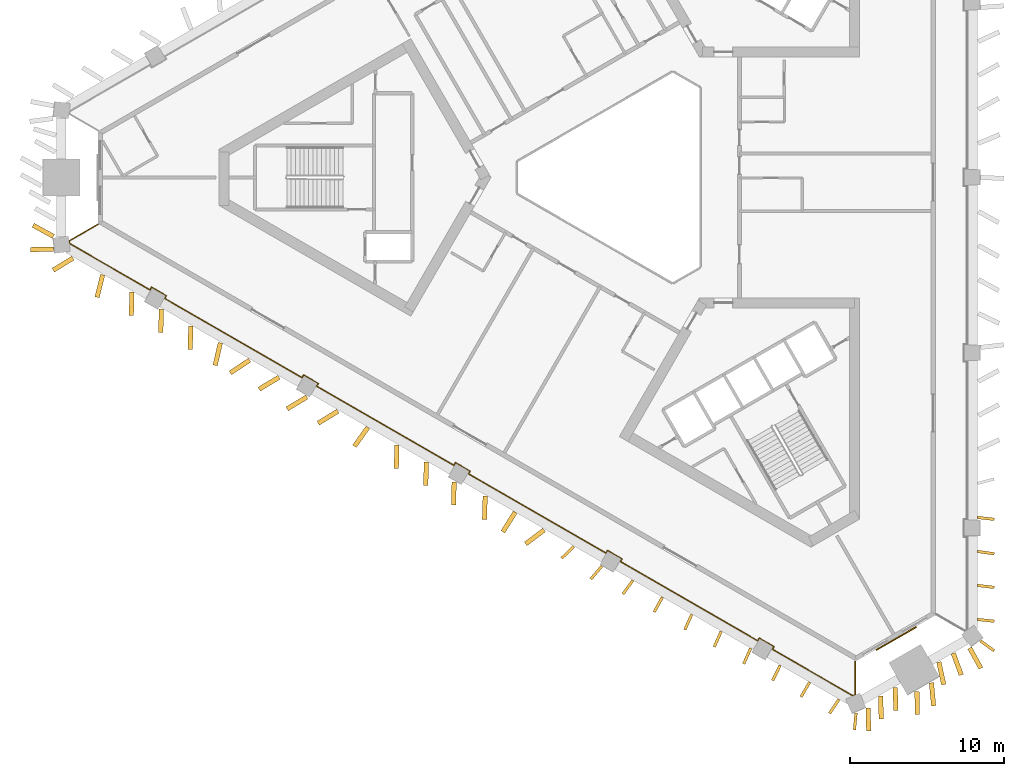
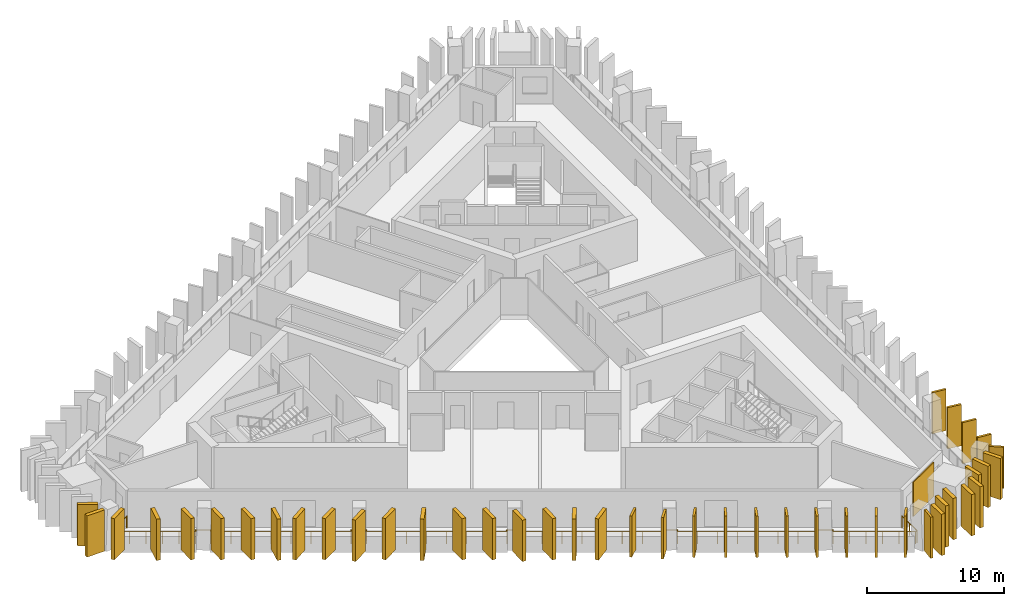
# One storey, part 7 of 10: 43 shading devices, 1 covering, 1 railing.
"""IFC4 building model written with IfcOpenShell, lengths in metres."""

from ifc_helpers import new_model, si_unit, direction, frame, frame_2d, origin, origin_2d, place, context, subcontext, project, spatial, rectangle, circle, extrude, material, layer, layer_set, type_object, element, save


model = new_model("IFC4")

# Units and contexts
model_context = context("Model", 3, precision=1e-05, world=origin(), true_north=direction((0.0, 1.0)))
body_context = subcontext(model_context, "Body", "Model", "MODEL_VIEW")
ifc_project = project(units=[si_unit("LENGTHUNIT", "METRE"), si_unit("AREAUNIT", "SQUARE_METRE"), si_unit("VOLUMEUNIT", "CUBIC_METRE"), si_unit("PLANEANGLEUNIT", "RADIAN"), si_unit("MASSUNIT", "GRAM", prefix="KILO")], contexts=[model_context])

# Site, building, storey
site_placement = place(None, origin())
site = spatial("IfcSite", under=ifc_project, at=site_placement, CompositionType="ELEMENT")
building_placement = place(site_placement, origin())
building = spatial("IfcBuilding", under=site, at=building_placement, Name="Jabali Bay Hotel Tower and Convention Centre", CompositionType="ELEMENT")
storey_placement = place(building_placement, frame((0.0, 0.0, 121.60009765625)))
storey = spatial("IfcBuildingStorey", under=building, at=storey_placement, Name="L29", CompositionType="ELEMENT", Elevation=121.60009765625)

# Railing
ifc_material_1 = material(Name="Glass", Category="glass")
railing_type = type_object("IfcRailingType", Name="Loggia glass guard 1100", PredefinedType="BALUSTRADE", material=ifc_material_1)
railing_placement = place(storey_placement, frame((89.593505859375, 48.65283203125, 0.0)))
element("IfcRailing", 1, at=railing_placement, inside=storey, type_object=railing_type, Name="Loggia glass guard L29", PredefinedType="BALUSTRADE", context=body_context, shape_type="SweptSolid", body=[
    extrude(circle(Radius=0.02490234375, at=origin_2d()), frame((0.0, 0.0, 1.0751953125), z_axis=(0.0, -1.0, 0.0), x_axis=(0.991444861374, 0.0, 0.13052619222)), (0.0, 0.0, 1.0), 2.165283203125),
    extrude(circle(Radius=0.02490234375, at=origin_2d()), frame((0.0, -2.165283203125, 1.0751953125), z_axis=(-0.918901945155, -0.394486013934, 0.0), x_axis=(0.391111131399, -0.911040611631, 0.13052619222)), (0.0, 0.0, 1.0), 0.156005859375),
    extrude(circle(Radius=0.02490234375, at=origin_2d()), frame((-0.143310546875, -2.226806640625, 1.0751953125), z_axis=(-0.866017553207, 0.500013597353, 0.0), x_axis=(-0.495735911712, -0.858608652987, 0.13052619222)), (0.0, 0.0, 1.0), 6.024658203125),
    extrude(circle(Radius=0.02490234375, at=origin_2d()), frame((-5.36083984375, 0.78564453125, 1.0751953125), z_axis=(0.499158860599, 0.866510491504, 0.0), x_axis=(-0.859097374128, 0.49488848735, 0.13052619222)), (0.0, 0.0, 1.0), 0.199951171875),
    extrude(circle(Radius=0.02490234375, at=origin_2d()), frame((-5.260986328125, 0.958984375, 1.0751953125), z_axis=(-0.866008176907, 0.50002983664, 0.0), x_axis=(-0.495752012071, -0.858599356902, 0.13052619222)), (0.0, 0.0, 1.0), 1.10009765625),
    extrude(circle(Radius=0.02490234375, at=origin_2d()), frame((-6.213623046875, 1.509033203125, 1.0751953125), z_axis=(-0.499158860599, -0.866510491504, 0.0), x_axis=(0.859097374128, -0.49488848735, 0.13052619222)), (0.0, 0.0, 1.0), 0.199951171875),
    extrude(circle(Radius=0.02490234375, at=origin_2d()), frame((-6.3134765625, 1.335693359375, 1.0751953125), z_axis=(-0.866025546963, 0.499999752008, 0.0), x_axis=(-0.495722184817, -0.858616578354, 0.13052619222)), (0.0, 0.0, 1.0), 10.26318359375),
    extrude(circle(Radius=0.02490234375, at=origin_2d()), frame((-15.20166015625, 6.46728515625, 1.0751953125), z_axis=(0.499158860599, 0.866510491504, 0.0), x_axis=(-0.859097374128, 0.49488848735, 0.13052619222)), (0.0, 0.0, 1.0), 0.199951171875),
    extrude(circle(Radius=0.02490234375, at=origin_2d()), frame((-15.101806640625, 6.640625, 1.0751953125), z_axis=(-0.866104278045, 0.499863360881, 0.0), x_axis=(-0.495586960535, -0.858694635882, 0.13052619222)), (0.0, 0.0, 1.0), 1.099853515625),
    extrude(circle(Radius=0.02490234375, at=origin_2d()), frame((-16.054443359375, 7.1904296875, 1.0751953125), z_axis=(-0.499687197852, -0.866205924883, 0.0), x_axis=(0.858795413117, -0.495412304605, 0.13052619222)), (0.0, 0.0, 1.0), 0.199951171875),
    extrude(circle(Radius=0.02490234375, at=origin_2d()), frame((-16.154296875, 7.017333984375, 1.0751953125), z_axis=(-0.866025546963, 0.499999752008, 0.0), x_axis=(-0.495722184817, -0.858616578354, 0.13052619222)), (0.0, 0.0, 1.0), 10.26318359375),
    extrude(circle(Radius=0.02490234375, at=origin_2d()), frame((-25.04248046875, 12.14892578125, 1.0751953125), z_axis=(0.499687197852, 0.866205924883, 0.0), x_axis=(-0.858795413117, 0.495412304605, 0.13052619222)), (0.0, 0.0, 1.0), 0.199951171875),
    extrude(circle(Radius=0.02490234375, at=origin_2d()), frame((-24.942626953125, 12.322021484375, 1.0751953125), z_axis=(-0.866008176907, 0.50002983664, 0.0), x_axis=(-0.495752012071, -0.858599356902, 0.13052619222)), (0.0, 0.0, 1.0), 1.10009765625),
    extrude(circle(Radius=0.02490234375, at=origin_2d()), frame((-25.895263671875, 12.8720703125, 1.0751953125), z_axis=(-0.499687197852, -0.866205924883, 0.0), x_axis=(0.858795413117, -0.495412304605, 0.13052619222)), (0.0, 0.0, 1.0), 0.199951171875),
    extrude(circle(Radius=0.02490234375, at=origin_2d()), frame((-25.9951171875, 12.698974609375, 1.0751953125), z_axis=(-0.866025546963, 0.499999752008, 0.0), x_axis=(-0.495722184817, -0.858616578354, 0.13052619222)), (0.0, 0.0, 1.0), 10.26318359375),
    extrude(circle(Radius=0.02490234375, at=origin_2d()), frame((-34.88330078125, 17.83056640625, 1.0751953125), z_axis=(0.499687197852, 0.866205924883, 0.0), x_axis=(-0.858795413117, 0.495412304605, 0.13052619222)), (0.0, 0.0, 1.0), 0.199951171875),
    extrude(circle(Radius=0.02490234375, at=origin_2d()), frame((-34.783447265625, 18.003662109375, 1.0751953125), z_axis=(-0.865952669392, 0.500125958508, 0.0), x_axis=(-0.495847311602, -0.858544324261, 0.13052619222)), (0.0, 0.0, 1.0), 1.099853515625),
    extrude(circle(Radius=0.02490234375, at=origin_2d()), frame((-35.73583984375, 18.5537109375, 1.0751953125), z_axis=(-0.500603037456, -0.865676959893, 0.0), x_axis=(0.858270973496, -0.496320309074, 0.13052619222)), (0.0, 0.0, 1.0), 0.199951171875),
    extrude(circle(Radius=0.02490234375, at=origin_2d()), frame((-35.8359375, 18.380615234375, 1.0751953125), z_axis=(-0.866025546963, 0.499999752008, 0.0), x_axis=(-0.495722184817, -0.858616578354, 0.13052619222)), (0.0, 0.0, 1.0), 10.26318359375),
    extrude(circle(Radius=0.02490234375, at=origin_2d()), frame((-44.72412109375, 23.51220703125, 1.0751953125), z_axis=(0.500603037456, 0.865676959893, 0.0), x_axis=(-0.858270973496, 0.496320309074, 0.13052619222)), (0.0, 0.0, 1.0), 0.199951171875),
    extrude(circle(Radius=0.02490234375, at=origin_2d()), frame((-44.6240234375, 23.685302734375, 1.0751953125), z_axis=(-0.866008176907, 0.50002983664, 0.0), x_axis=(-0.495752012071, -0.858599356902, 0.13052619222)), (0.0, 0.0, 1.0), 1.10009765625),
    extrude(circle(Radius=0.02490234375, at=origin_2d()), frame((-45.57666015625, 24.2353515625, 1.0751953125), z_axis=(-0.500074377092, -0.865982457891, 0.0), x_axis=(0.858573857916, -0.495796171473, 0.13052619222)), (0.0, 0.0, 1.0), 0.2001953125),
    extrude(circle(Radius=0.02490234375, at=origin_2d()), frame((-45.6767578125, 24.06201171875, 1.0751953125), z_axis=(-0.866027683981, 0.499996050563, 0.0), x_axis=(-0.495718515038, -0.85861869709, 0.13052619222)), (0.0, 0.0, 1.0), 6.02490234375),
    extrude(circle(Radius=0.02490234375, at=origin_2d()), frame((-50.89453125, 27.074462890625, 1.0751953125), z_axis=(-0.117477392411, 0.993075557182, 0.0), x_axis=(-0.984579658124, -0.116472357034, 0.13052619222)), (0.0, 0.0, 1.0), 0.15576171875),
    extrude(circle(Radius=0.02490234375, at=origin_2d()), frame((-50.912841796875, 27.229248046875, 1.0751953125), z_axis=(0.866056034881, 0.49994694163, 0.0), x_axis=(-0.495669826239, 0.858646805445, 0.13052619222)), (0.0, 0.0, 1.0), 2.165283203125),
    extrude(circle(Radius=0.02001953125, at=origin_2d()), origin(), (0.0, 0.0, 1.0), 1.050048828125),
    extrude(circle(Radius=0.02001953125, at=origin_2d()), frame((0.0, -1.08251953125, 0.0)), (0.0, 0.0, 1.0), 1.050048828125),
    extrude(circle(Radius=0.02001953125, at=origin_2d()), frame((0.0, -2.165283203125, 0.0)), (0.0, 0.0, 1.0), 1.050048828125),
    extrude(circle(Radius=0.02001953125, at=origin_2d()), frame((-0.143310546875, -2.226806640625, 0.0)), (0.0, 0.0, 1.0), 1.050048828125),
    extrude(circle(Radius=0.02001953125, at=origin_2d()), frame((-1.186767578125, -1.624267578125, 0.0)), (0.0, 0.0, 1.0), 1.050048828125),
    extrude(circle(Radius=0.02001953125, at=origin_2d()), frame((-2.230224609375, -1.021728515625, 0.0)), (0.0, 0.0, 1.0), 1.050048828125),
    extrude(circle(Radius=0.02001953125, at=origin_2d()), frame((-3.27392578125, -0.41943359375, 0.0)), (0.0, 0.0, 1.0), 1.050048828125),
    extrude(circle(Radius=0.02001953125, at=origin_2d()), frame((-4.3173828125, 0.18310546875, 0.0)), (0.0, 0.0, 1.0), 1.050048828125),
    extrude(circle(Radius=0.02001953125, at=origin_2d()), frame((-5.36083984375, 0.78564453125, 0.0)), (0.0, 0.0, 1.0), 1.050048828125),
    extrude(circle(Radius=0.02001953125, at=origin_2d()), frame((-5.260986328125, 0.958984375, 0.0)), (0.0, 0.0, 1.0), 1.050048828125),
    extrude(circle(Radius=0.02001953125, at=origin_2d()), frame((-6.213623046875, 1.509033203125, 0.0)), (0.0, 0.0, 1.0), 1.050048828125),
    extrude(circle(Radius=0.02001953125, at=origin_2d()), frame((-6.3134765625, 1.335693359375, 0.0)), (0.0, 0.0, 1.0), 1.050048828125),
    extrude(circle(Radius=0.02001953125, at=origin_2d()), frame((-7.583251953125, 2.06884765625, 0.0)), (0.0, 0.0, 1.0), 1.050048828125),
    extrude(circle(Radius=0.02001953125, at=origin_2d()), frame((-8.85302734375, 2.8017578125, 0.0)), (0.0, 0.0, 1.0), 1.050048828125),
    extrude(circle(Radius=0.02001953125, at=origin_2d()), frame((-10.122802734375, 3.534912109375, 0.0)), (0.0, 0.0, 1.0), 1.050048828125),
    extrude(circle(Radius=0.02001953125, at=origin_2d()), frame((-11.392333984375, 4.26806640625, 0.0)), (0.0, 0.0, 1.0), 1.050048828125),
    extrude(circle(Radius=0.02001953125, at=origin_2d()), frame((-12.662109375, 5.001220703125, 0.0)), (0.0, 0.0, 1.0), 1.050048828125),
    extrude(circle(Radius=0.02001953125, at=origin_2d()), frame((-13.931884765625, 5.734130859375, 0.0)), (0.0, 0.0, 1.0), 1.050048828125),
    extrude(circle(Radius=0.02001953125, at=origin_2d()), frame((-15.20166015625, 6.46728515625, 0.0)), (0.0, 0.0, 1.0), 1.050048828125),
    extrude(circle(Radius=0.02001953125, at=origin_2d()), frame((-15.101806640625, 6.640625, 0.0)), (0.0, 0.0, 1.0), 1.050048828125),
    extrude(circle(Radius=0.02001953125, at=origin_2d()), frame((-16.054443359375, 7.1904296875, 0.0)), (0.0, 0.0, 1.0), 1.050048828125),
    extrude(circle(Radius=0.02001953125, at=origin_2d()), frame((-16.154296875, 7.017333984375, 0.0)), (0.0, 0.0, 1.0), 1.050048828125),
    extrude(circle(Radius=0.02001953125, at=origin_2d()), frame((-17.424072265625, 7.75048828125, 0.0)), (0.0, 0.0, 1.0), 1.050048828125),
    extrude(circle(Radius=0.02001953125, at=origin_2d()), frame((-18.69384765625, 8.4833984375, 0.0)), (0.0, 0.0, 1.0), 1.050048828125),
    extrude(circle(Radius=0.02001953125, at=origin_2d()), frame((-19.963623046875, 9.216552734375, 0.0)), (0.0, 0.0, 1.0), 1.050048828125),
    extrude(circle(Radius=0.02001953125, at=origin_2d()), frame((-21.233154296875, 9.94970703125, 0.0)), (0.0, 0.0, 1.0), 1.050048828125),
    extrude(circle(Radius=0.02001953125, at=origin_2d()), frame((-22.5029296875, 10.682861328125, 0.0)), (0.0, 0.0, 1.0), 1.050048828125),
    extrude(circle(Radius=0.02001953125, at=origin_2d()), frame((-23.772705078125, 11.415771484375, 0.0)), (0.0, 0.0, 1.0), 1.050048828125),
    extrude(circle(Radius=0.02001953125, at=origin_2d()), frame((-25.04248046875, 12.14892578125, 0.0)), (0.0, 0.0, 1.0), 1.050048828125),
    extrude(circle(Radius=0.02001953125, at=origin_2d()), frame((-24.942626953125, 12.322021484375, 0.0)), (0.0, 0.0, 1.0), 1.050048828125),
    extrude(circle(Radius=0.02001953125, at=origin_2d()), frame((-25.895263671875, 12.8720703125, 0.0)), (0.0, 0.0, 1.0), 1.050048828125),
    extrude(circle(Radius=0.02001953125, at=origin_2d()), frame((-25.9951171875, 12.698974609375, 0.0)), (0.0, 0.0, 1.0), 1.050048828125),
    extrude(circle(Radius=0.02001953125, at=origin_2d()), frame((-27.264892578125, 13.43212890625, 0.0)), (0.0, 0.0, 1.0), 1.050048828125),
    extrude(circle(Radius=0.02001953125, at=origin_2d()), frame((-28.53466796875, 14.1650390625, 0.0)), (0.0, 0.0, 1.0), 1.050048828125),
    extrude(circle(Radius=0.02001953125, at=origin_2d()), frame((-29.804443359375, 14.898193359375, 0.0)), (0.0, 0.0, 1.0), 1.050048828125),
    extrude(circle(Radius=0.02001953125, at=origin_2d()), frame((-31.073974609375, 15.63134765625, 0.0)), (0.0, 0.0, 1.0), 1.050048828125),
    extrude(circle(Radius=0.02001953125, at=origin_2d()), frame((-32.34375, 16.364501953125, 0.0)), (0.0, 0.0, 1.0), 1.050048828125),
    extrude(circle(Radius=0.02001953125, at=origin_2d()), frame((-33.613525390625, 17.097412109375, 0.0)), (0.0, 0.0, 1.0), 1.050048828125),
    extrude(circle(Radius=0.02001953125, at=origin_2d()), frame((-34.88330078125, 17.83056640625, 0.0)), (0.0, 0.0, 1.0), 1.050048828125),
    extrude(circle(Radius=0.02001953125, at=origin_2d()), frame((-34.783447265625, 18.003662109375, 0.0)), (0.0, 0.0, 1.0), 1.050048828125),
    extrude(circle(Radius=0.02001953125, at=origin_2d()), frame((-35.73583984375, 18.5537109375, 0.0)), (0.0, 0.0, 1.0), 1.050048828125),
    extrude(circle(Radius=0.02001953125, at=origin_2d()), frame((-35.8359375, 18.380615234375, 0.0)), (0.0, 0.0, 1.0), 1.050048828125),
    extrude(circle(Radius=0.02001953125, at=origin_2d()), frame((-37.105712890625, 19.11376953125, 0.0)), (0.0, 0.0, 1.0), 1.050048828125),
    extrude(circle(Radius=0.02001953125, at=origin_2d()), frame((-38.37548828125, 19.8466796875, 0.0)), (0.0, 0.0, 1.0), 1.050048828125),
    extrude(circle(Radius=0.02001953125, at=origin_2d()), frame((-39.645263671875, 20.579833984375, 0.0)), (0.0, 0.0, 1.0), 1.050048828125),
    extrude(circle(Radius=0.02001953125, at=origin_2d()), frame((-40.914794921875, 21.31298828125, 0.0)), (0.0, 0.0, 1.0), 1.050048828125),
    extrude(circle(Radius=0.02001953125, at=origin_2d()), frame((-42.1845703125, 22.046142578125, 0.0)), (0.0, 0.0, 1.0), 1.050048828125),
    extrude(circle(Radius=0.02001953125, at=origin_2d()), frame((-43.454345703125, 22.779052734375, 0.0)), (0.0, 0.0, 1.0), 1.050048828125),
    extrude(circle(Radius=0.02001953125, at=origin_2d()), frame((-44.72412109375, 23.51220703125, 0.0)), (0.0, 0.0, 1.0), 1.050048828125),
    extrude(circle(Radius=0.02001953125, at=origin_2d()), frame((-44.6240234375, 23.685302734375, 0.0)), (0.0, 0.0, 1.0), 1.050048828125),
    extrude(circle(Radius=0.02001953125, at=origin_2d()), frame((-45.57666015625, 24.2353515625, 0.0)), (0.0, 0.0, 1.0), 1.050048828125),
    extrude(circle(Radius=0.02001953125, at=origin_2d()), frame((-45.6767578125, 24.06201171875, 0.0)), (0.0, 0.0, 1.0), 1.050048828125),
    extrude(circle(Radius=0.02001953125, at=origin_2d()), frame((-46.72021484375, 24.66455078125, 0.0)), (0.0, 0.0, 1.0), 1.050048828125),
    extrude(circle(Radius=0.02001953125, at=origin_2d()), frame((-47.763916015625, 25.26708984375, 0.0)), (0.0, 0.0, 1.0), 1.050048828125),
    extrude(circle(Radius=0.02001953125, at=origin_2d()), frame((-48.807373046875, 25.869384765625, 0.0)), (0.0, 0.0, 1.0), 1.050048828125),
    extrude(circle(Radius=0.02001953125, at=origin_2d()), frame((-49.85107421875, 26.471923828125, 0.0)), (0.0, 0.0, 1.0), 1.050048828125),
    extrude(circle(Radius=0.02001953125, at=origin_2d()), frame((-50.89453125, 27.074462890625, 0.0)), (0.0, 0.0, 1.0), 1.050048828125),
    extrude(circle(Radius=0.02001953125, at=origin_2d()), frame((-50.912841796875, 27.229248046875, 0.0)), (0.0, 0.0, 1.0), 1.050048828125),
    extrude(circle(Radius=0.02001953125, at=origin_2d()), frame((-49.97509765625, 27.7705078125, 0.0)), (0.0, 0.0, 1.0), 1.050048828125),
    extrude(circle(Radius=0.02001953125, at=origin_2d()), frame((-49.03759765625, 28.311767578125, 0.0)), (0.0, 0.0, 1.0), 1.050048828125),
])

# Shading devices
ifc_material_2 = material(Name="Precast concrete C60", Category="concrete")
ifc_layer_1 = layer(ifc_material_2, 0.179931640625)
ifc_layer_set_1 = layer_set([ifc_layer_1], Name="Precast concrete C60")
shading_device_type_1 = type_object("IfcShadingDeviceType", Name="Precast fin 3680 x 1100", PredefinedType="USERDEFINED", material=ifc_layer_set_1)
for number, where, z_axis, x_axis, name in (
    (2, (97.502685546875, 51.374755859375, 0.010009765625), (0.0, 0.0, 1.0), (0.99430915392, -0.106533123634, 0.0), "Fin L29 000"),
    (3, (97.50341796875, 53.57666015625, 0.010009765625), (0.0, 0.0, 1.0), (0.993293755317, -0.11561797286, 0.0), "Fin L29 001"),
):
    element("IfcShadingDevice", number, at=place(storey_placement, frame(where, z_axis=z_axis, x_axis=x_axis)), inside=storey, type_object=shading_device_type_1, Name=name, ObjectType="FIN", PredefinedType="USERDEFINED", context=body_context, shape_type="SweptSolid", body=[
        extrude(rectangle(XDim=1.10009765625, YDim=0.179931640625, at=frame_2d((0.550048828125, 0.0))), origin(), (0.0, 0.0, 1.0), 3.679931640625),
    ])
shading_device_1_placement = place(storey_placement, frame((97.505859375, 55.778564453125, 0.010009765625), z_axis=(0.0, 0.0, 1.0), x_axis=(0.990015976913, -0.140955189538, 0.0)))
element("IfcShadingDevice", 4, at=shading_device_1_placement, inside=storey, type_object=shading_device_type_1, Name="Fin L29 002", ObjectType="FIN", PredefinedType="USERDEFINED", context=body_context, shape_type="SweptSolid", body=[
    extrude(rectangle(XDim=1.099853515625, YDim=0.179931640625, at=frame_2d((0.5498046875, 0.0))), origin(), (0.0, 0.0, 1.0), 3.679931640625),
])
for number, where, z_axis, x_axis, name in (
    (5, (97.503173828125, 57.98046875, 0.010009765625), (0.0, 0.0, 1.0), (0.99364875495, -0.112526227107, 0.0), "Fin L29 003"),
    (6, (71.36865234375, 56.0947265625, 0.010009765625), (0.0, 0.0, 1.0), (-0.721928151592, -0.691968022338, 0.0), "Fin L29 087"),
):
    element("IfcShadingDevice", number, at=place(storey_placement, frame(where, z_axis=z_axis, x_axis=x_axis)), inside=storey, type_object=shading_device_type_1, Name=name, ObjectType="FIN", PredefinedType="USERDEFINED", context=body_context, shape_type="SweptSolid", body=[
        extrude(rectangle(XDim=1.10009765625, YDim=0.179931640625, at=frame_2d((0.550048828125, 0.0))), origin(), (0.0, 0.0, 1.0), 3.679931640625),
    ])
for number, where, z_axis, x_axis, name in (
    (7, (73.17626953125, 54.82177734375, 0.010009765625), (0.0, 0.0, 1.0), (-0.646797537795, -0.762661750124, 0.0), "Fin L29 088"),
    (8, (75.1904296875, 53.906494140625, 0.010009765625), (0.0, 0.0, 1.0), (-0.585952370362, -0.810345494013, 0.0), "Fin L29 089"),
):
    element("IfcShadingDevice", number, at=place(storey_placement, frame(where, z_axis=z_axis, x_axis=x_axis)), inside=storey, type_object=shading_device_type_1, Name=name, ObjectType="FIN", PredefinedType="USERDEFINED", context=body_context, shape_type="SweptSolid", body=[
        extrude(rectangle(XDim=1.099853515625, YDim=0.179931640625, at=frame_2d((0.5498046875, 0.0))), origin(), (0.0, 0.0, 1.0), 3.679931640625),
    ])
shading_device_2_placement = place(storey_placement, frame((77.101318359375, 52.812255859375, 0.010009765625), z_axis=(0.0, 0.0, 1.0), x_axis=(-0.485152919882, -0.874429324948, 0.0)))
element("IfcShadingDevice", 9, at=shading_device_2_placement, inside=storey, type_object=shading_device_type_1, Name="Fin L29 090", ObjectType="FIN", PredefinedType="USERDEFINED", context=body_context, shape_type="SweptSolid", body=[
    extrude(rectangle(XDim=1.10009765625, YDim=0.179931640625, at=frame_2d((0.550048828125, 0.0))), origin(), (0.0, 0.0, 1.0), 3.679931640625),
])
for number, where, z_axis, x_axis, name in (
    (10, (79.00439453125, 51.704833984375, 0.010009765625), (0.0, 0.0, 1.0), (-0.41062307398, -0.911805182654, 0.0), "Fin L29 091"),
    (11, (80.911376953125, 50.603515625, 0.010009765625), (0.0, 0.0, 1.0), (-0.408443937443, -0.912783408025, 0.0), "Fin L29 092"),
):
    element("IfcShadingDevice", number, at=place(storey_placement, frame(where, z_axis=z_axis, x_axis=x_axis)), inside=storey, type_object=shading_device_type_1, Name=name, ObjectType="FIN", PredefinedType="USERDEFINED", context=body_context, shape_type="SweptSolid", body=[
        extrude(rectangle(XDim=1.099853515625, YDim=0.179931640625, at=frame_2d((0.5498046875, 0.0))), origin(), (0.0, 0.0, 1.0), 3.679931640625),
    ])
shading_device_3_placement = place(storey_placement, frame((82.818359375, 49.502685546875, 0.010009765625), z_axis=(0.0, 0.0, 1.0), x_axis=(-0.409266191411, -0.912415028684, 0.0)))
element("IfcShadingDevice", 12, at=shading_device_3_placement, inside=storey, type_object=shading_device_type_1, Name="Fin L29 093", ObjectType="FIN", PredefinedType="USERDEFINED", context=body_context, shape_type="SweptSolid", body=[
    extrude(rectangle(XDim=1.10009765625, YDim=0.179931640625, at=frame_2d((0.550048828125, 0.0))), origin(), (0.0, 0.0, 1.0), 3.679931640625),
])
for number, where, z_axis, x_axis, name in (
    (13, (84.726806640625, 48.404296875, 0.010009765625), (0.0, 0.0, 1.0), (-0.440185291087, -0.897906960387, 0.0), "Fin L29 094"),
    (14, (86.636474609375, 47.308349609375, 0.010009765625), (0.0, 0.0, 1.0), (-0.504505706254, -0.863408357822, 0.0), "Fin L29 095"),
):
    element("IfcShadingDevice", number, at=place(storey_placement, frame(where, z_axis=z_axis, x_axis=x_axis)), inside=storey, type_object=shading_device_type_1, Name=name, ObjectType="FIN", PredefinedType="USERDEFINED", context=body_context, shape_type="SweptSolid", body=[
        extrude(rectangle(XDim=1.099853515625, YDim=0.179931640625, at=frame_2d((0.5498046875, 0.0))), origin(), (0.0, 0.0, 1.0), 3.679931640625),
    ])
shading_device_4_placement = place(storey_placement, frame((88.54052734375, 46.2021484375, 0.010009765625), z_axis=(0.0, 0.0, 1.0), x_axis=(-0.559964482852, -0.828516612956, 0.0)))
element("IfcShadingDevice", 15, at=shading_device_4_placement, inside=storey, type_object=shading_device_type_1, Name="Fin L29 096", ObjectType="FIN", PredefinedType="USERDEFINED", context=body_context, shape_type="SweptSolid", body=[
    extrude(rectangle(XDim=1.10009765625, YDim=0.179931640625, at=frame_2d((0.550048828125, 0.0))), origin(), (0.0, 0.0, 1.0), 3.679931640625),
])
shading_device_5_placement = place(storey_placement, frame((97.69677734375, 49.9873046875, 0.010009765625), z_axis=(0.0, 0.0, 1.0), x_axis=(0.809043118272, -0.587749294152, 0.0)))
element("IfcShadingDevice", 16, at=shading_device_5_placement, inside=storey, type_object=shading_device_type_1, Name="Fin L29 105", ObjectType="FIN", PredefinedType="USERDEFINED", context=body_context, shape_type="SweptSolid", body=[
    extrude(rectangle(XDim=1.099853515625, YDim=0.179931640625, at=frame_2d((0.5498046875, 0.0))), origin(), (0.0, 0.0, 1.0), 3.679931640625),
])
shading_device_6_placement = place(storey_placement, frame((89.643310546875, 45.31982421875, 0.010009765625), z_axis=(0.0, 0.0, 1.0), x_axis=(-0.093656957296, -0.995604527084, 0.0)))
element("IfcShadingDevice", 17, at=shading_device_6_placement, inside=storey, type_object=shading_device_type_1, Name="Fin L29 110", ObjectType="FIN", PredefinedType="USERDEFINED", context=body_context, shape_type="SweptSolid", body=[
    extrude(rectangle(XDim=1.10009765625, YDim=0.179931640625, at=frame_2d((0.550048828125, 0.0))), origin(), (0.0, 0.0, 1.0), 3.679931640625),
])
ifc_layer_2 = layer(ifc_material_2, 0.300048828125)
ifc_layer_set_2 = layer_set([ifc_layer_2], Name="Precast concrete C60")
shading_device_type_2 = type_object("IfcShadingDeviceType", Name="Precast fin 3680 x 1500", PredefinedType="USERDEFINED", material=ifc_layer_set_2)
for number, where, z_axis, x_axis, name in (
    (18, (37.66015625, 76.18212890625, 0.010009765625), (0.0, 0.0, 1.0), (-0.876016513422, 0.482281109117, 0.0), "Fin L29 069"),
    (19, (38.927001953125, 74.7705078125, 0.010009765625), (0.0, 0.0, 1.0), (-0.855634763077, -0.51758009256, 0.0), "Fin L29 070"),
    (20, (40.84912109375, 73.69580078125, 0.010009765625), (0.0, 0.0, 1.0), (-0.238435868725, -0.971158244832, 0.0), "Fin L29 071"),
):
    element("IfcShadingDevice", number, at=place(storey_placement, frame(where, z_axis=z_axis, x_axis=x_axis)), inside=storey, type_object=shading_device_type_2, Name=name, ObjectType="FIN", PredefinedType="USERDEFINED", context=body_context, shape_type="SweptSolid", body=[
        extrude(rectangle(XDim=1.5, YDim=0.300048828125, at=frame_2d((0.75, 0.0))), origin(), (0.0, 0.0, 1.0), 3.679931640625),
    ])
shading_device_7_placement = place(storey_placement, frame((42.740966796875, 72.568359375, 0.010009765625), z_axis=(0.0, 0.0, 1.0), x_axis=(-0.020347463549, -0.999792968933, 0.0)))
element("IfcShadingDevice", 21, at=shading_device_7_placement, inside=storey, type_object=shading_device_type_2, Name="Fin L29 072", ObjectType="FIN", PredefinedType="USERDEFINED", context=body_context, shape_type="SweptSolid", body=[
    extrude(rectangle(XDim=1.499755859375, YDim=0.300048828125, at=frame_2d((0.75, 0.0))), origin(), (0.0, 0.0, 1.0), 3.679931640625),
])
shading_device_8_placement = place(storey_placement, frame((44.64794921875, 71.467529296875, 0.010009765625), z_axis=(0.0, 0.0, 1.0), x_axis=(-0.020344152619, -0.99979303631, 0.0)))
element("IfcShadingDevice", 22, at=shading_device_8_placement, inside=storey, type_object=shading_device_type_2, Name="Fin L29 073", ObjectType="FIN", PredefinedType="USERDEFINED", context=body_context, shape_type="SweptSolid", body=[
    extrude(rectangle(XDim=1.5, YDim=0.300048828125, at=frame_2d((0.75, 0.0))), origin(), (0.0, 0.0, 1.0), 3.679931640625),
])
shading_device_9_placement = place(storey_placement, frame((46.5546875, 70.366455078125, 0.010009765625), z_axis=(0.0, 0.0, 1.0), x_axis=(-0.020184750428, -0.999796267172, 0.0)))
element("IfcShadingDevice", 23, at=shading_device_9_placement, inside=storey, type_object=shading_device_type_2, Name="Fin L29 074", ObjectType="FIN", PredefinedType="USERDEFINED", context=body_context, shape_type="SweptSolid", body=[
    extrude(rectangle(XDim=1.499755859375, YDim=0.300048828125, at=frame_2d((0.75, 0.0))), origin(), (0.0, 0.0, 1.0), 3.679931640625),
])
for number, where, z_axis, x_axis, name in (
    (24, (48.47607421875, 69.29052734375, 0.010009765625), (0.0, 0.0, 1.0), (-0.226725353512, -0.97395873325, 0.0), "Fin L29 075"),
    (25, (50.371337890625, 68.169189453125, 0.010009765625), (0.0, 0.0, 1.0), (-0.834769495926, -0.550599571986, 0.0), "Fin L29 076"),
    (26, (52.275634765625, 67.063720703125, 0.010009765625), (0.0, 0.0, 1.0), (-0.855634763077, -0.51758009256, 0.0), "Fin L29 077"),
    (27, (54.078857421875, 65.782958984375, 0.010009765625), (0.0, 0.0, 1.0), (-0.855634763077, -0.51758009256, 0.0), "Fin L29 078"),
    (28, (56.089599609375, 64.861572265625, 0.010009765625), (0.0, 0.0, 1.0), (-0.85575041753, -0.517388850766, 0.0), "Fin L29 079"),
    (29, (58.025634765625, 63.811279296875, 0.010009765625), (0.0, 0.0, 1.0), (-0.577845710221, -0.816146025647, 0.0), "Fin L29 080"),
):
    element("IfcShadingDevice", number, at=place(storey_placement, frame(where, z_axis=z_axis, x_axis=x_axis)), inside=storey, type_object=shading_device_type_2, Name=name, ObjectType="FIN", PredefinedType="USERDEFINED", context=body_context, shape_type="SweptSolid", body=[
        extrude(rectangle(XDim=1.5, YDim=0.300048828125, at=frame_2d((0.75, 0.0))), origin(), (0.0, 0.0, 1.0), 3.679931640625),
    ])
shading_device_10_placement = place(storey_placement, frame((59.9033203125, 62.65966796875, 0.010009765625), z_axis=(0.0, 0.0, 1.0), x_axis=(-0.020510175053, -0.999789644235, 0.0)))
element("IfcShadingDevice", 30, at=shading_device_10_placement, inside=storey, type_object=shading_device_type_2, Name="Fin L29 081", ObjectType="FIN", PredefinedType="USERDEFINED", context=body_context, shape_type="SweptSolid", body=[
    extrude(rectangle(XDim=1.499755859375, YDim=0.300048828125, at=frame_2d((0.75, 0.0))), origin(), (0.0, 0.0, 1.0), 3.679931640625),
])
for number, where, z_axis, x_axis, name in (
    (31, (61.810302734375, 61.558837890625, 0.010009765625), (0.0, 0.0, 1.0), (-0.020832202869, -0.999782986114, 0.0), "Fin L29 082"),
    (32, (63.61376953125, 60.2783203125, 0.010009765625), (0.0, 0.0, 1.0), (-0.022787959118, -0.999740320743, 0.0), "Fin L29 083"),
):
    element("IfcShadingDevice", number, at=place(storey_placement, frame(where, z_axis=z_axis, x_axis=x_axis)), inside=storey, type_object=shading_device_type_2, Name=name, ObjectType="FIN", PredefinedType="USERDEFINED", context=body_context, shape_type="SweptSolid", body=[
        extrude(rectangle(XDim=1.5, YDim=0.300048828125, at=frame_2d((0.75, 0.0))), origin(), (0.0, 0.0, 1.0), 3.679931640625),
    ])
shading_device_11_placement = place(storey_placement, frame((65.624755859375, 59.35791015625, 0.010009765625), z_axis=(0.0, 0.0, 1.0), x_axis=(-0.029293837809, -0.999570843446, 0.0)))
element("IfcShadingDevice", 33, at=shading_device_11_placement, inside=storey, type_object=shading_device_type_2, Name="Fin L29 084", ObjectType="FIN", PredefinedType="USERDEFINED", context=body_context, shape_type="SweptSolid", body=[
    extrude(rectangle(XDim=1.500244140625, YDim=0.300048828125, at=frame_2d((0.75, 0.0))), origin(), (0.0, 0.0, 1.0), 3.679931640625),
])
shading_device_12_placement = place(storey_placement, frame((67.564697265625, 58.313720703125, 0.010009765625), z_axis=(0.0, 0.0, 1.0), x_axis=(-0.53089102945, -0.847440095139, 0.0)))
element("IfcShadingDevice", 34, at=shading_device_12_placement, inside=storey, type_object=shading_device_type_2, Name="Fin L29 085", ObjectType="FIN", PredefinedType="USERDEFINED", context=body_context, shape_type="SweptSolid", body=[
    extrude(rectangle(XDim=1.5, YDim=0.300048828125, at=frame_2d((0.75, 0.0))), origin(), (0.0, 0.0, 1.0), 3.679931640625),
])
shading_device_13_placement = place(storey_placement, frame((69.44482421875, 57.16650390625, 0.010009765625), z_axis=(0.0, 0.0, 1.0), x_axis=(-0.799394065021, -0.600807064547, 0.0)))
element("IfcShadingDevice", 35, at=shading_device_13_placement, inside=storey, type_object=shading_device_type_2, Name="Fin L29 086", ObjectType="FIN", PredefinedType="USERDEFINED", context=body_context, shape_type="SweptSolid", body=[
    extrude(rectangle(XDim=1.499755859375, YDim=0.300048828125, at=frame_2d((0.75, 0.0))), origin(), (0.0, 0.0, 1.0), 3.679931640625),
])
shading_device_14_placement = place(storey_placement, frame((90.427978515625, 45.642333984375, 0.010009765625), z_axis=(0.0, 0.0, 1.0), x_axis=(0.020344152619, -0.99979303631, 0.0)))
element("IfcShadingDevice", 36, at=shading_device_14_placement, inside=storey, type_object=shading_device_type_2, Name="Fin L29 097", ObjectType="FIN", PredefinedType="USERDEFINED", context=body_context, shape_type="SweptSolid", body=[
    extrude(rectangle(XDim=1.5, YDim=0.300048828125, at=frame_2d((0.75, 0.0))), origin(), (0.0, 0.0, 1.0), 3.679931640625),
])
for number, where, z_axis, x_axis, name in (
    (37, (91.239990234375, 46.41748046875, 0.010009765625), (0.0, 0.0, 1.0), (0.020347463549, -0.999792968933, 0.0), "Fin L29 098"),
    (38, (92.1845703125, 46.962890625, 0.010009765625), (0.0, 0.0, 1.0), (0.020347463549, -0.999792968933, 0.0), "Fin L29 099"),
):
    element("IfcShadingDevice", number, at=place(storey_placement, frame(where, z_axis=z_axis, x_axis=x_axis)), inside=storey, type_object=shading_device_type_2, Name=name, ObjectType="FIN", PredefinedType="USERDEFINED", context=body_context, shape_type="SweptSolid", body=[
        extrude(rectangle(XDim=1.499755859375, YDim=0.300048828125, at=frame_2d((0.75, 0.0))), origin(), (0.0, 0.0, 1.0), 3.679931640625),
    ])
for number, where, z_axis, x_axis, name in (
    (39, (93.58544921875, 46.71826171875, 0.010009765625), (0.0, 0.0, 1.0), (0.020344152619, -0.99979303631, 0.0), "Fin L29 100"),
    (40, (94.525146484375, 47.272216796875, 0.010009765625), (0.0, 0.0, 1.0), (0.094394349058, -0.995534884806, 0.0), "Fin L29 101"),
    (41, (95.007080078125, 48.619140625, 0.010009765625), (0.0, 0.0, 1.0), (0.209806975561, -0.977742825597, 0.0), "Fin L29 102"),
):
    element("IfcShadingDevice", number, at=place(storey_placement, frame(where, z_axis=z_axis, x_axis=x_axis)), inside=storey, type_object=shading_device_type_2, Name=name, ObjectType="FIN", PredefinedType="USERDEFINED", context=body_context, shape_type="SweptSolid", body=[
        extrude(rectangle(XDim=1.5, YDim=0.300048828125, at=frame_2d((0.75, 0.0))), origin(), (0.0, 0.0, 1.0), 3.679931640625),
    ])
shading_device_15_placement = place(storey_placement, frame((95.93994140625, 49.18505859375, 0.010009765625), z_axis=(0.0, 0.0, 1.0), x_axis=(0.344694549694, -0.938714902093, 0.0)))
element("IfcShadingDevice", 42, at=shading_device_15_placement, inside=storey, type_object=shading_device_type_2, Name="Fin L29 103", ObjectType="FIN", PredefinedType="USERDEFINED", context=body_context, shape_type="SweptSolid", body=[
    extrude(rectangle(XDim=1.500244140625, YDim=0.300048828125, at=frame_2d((0.75, 0.0))), origin(), (0.0, 0.0, 1.0), 3.679931640625),
])
for number, where, z_axis, x_axis, name in (
    (43, (97.0048828125, 49.52197265625, 0.010009765625), (0.0, 0.0, 1.0), (0.484066688459, -0.875031108661, 0.0), "Fin L29 104"),
    (44, (37.671142578125, 75.35693359375, 0.010009765625), (0.0, 0.0, 1.0), (-0.99979303631, -0.020344152619, 0.0), "Fin L29 109"),
):
    element("IfcShadingDevice", number, at=place(storey_placement, frame(where, z_axis=z_axis, x_axis=x_axis)), inside=storey, type_object=shading_device_type_2, Name=name, ObjectType="FIN", PredefinedType="USERDEFINED", context=body_context, shape_type="SweptSolid", body=[
        extrude(rectangle(XDim=1.5, YDim=0.300048828125, at=frame_2d((0.75, 0.0))), origin(), (0.0, 0.0, 1.0), 3.679931640625),
    ])

# Covering
ifc_material_3 = material(Name="Precast concrete C40/50", Category="concrete")
ifc_layer_3 = layer(ifc_material_3, 0.080078125)
ifc_layer_set_3 = layer_set([ifc_layer_3], Name="Precast concrete C40/50")
covering_type = type_object("IfcCoveringType", Name="Relief panel 3000 x 3050", PredefinedType="CLADDING", material=ifc_layer_set_3)
covering_placement = place(storey_placement, frame((92.241943359375, 50.135986328125, 0.10009765625), z_axis=(0.0, 0.0, 1.0), x_axis=(-0.866025404325, -0.499999999063, 0.0)))
element("IfcCovering", 45, at=covering_placement, inside=storey, type_object=covering_type, Name="Relief panel L29", PredefinedType="CLADDING", context=body_context, shape_type="SweptSolid", body=[
    extrude(rectangle(XDim=3.0, YDim=0.080078125, at=origin_2d()), origin(), (0.0, 0.0, 1.0), 3.050048828125),
])

save(model, "model.ifc")
